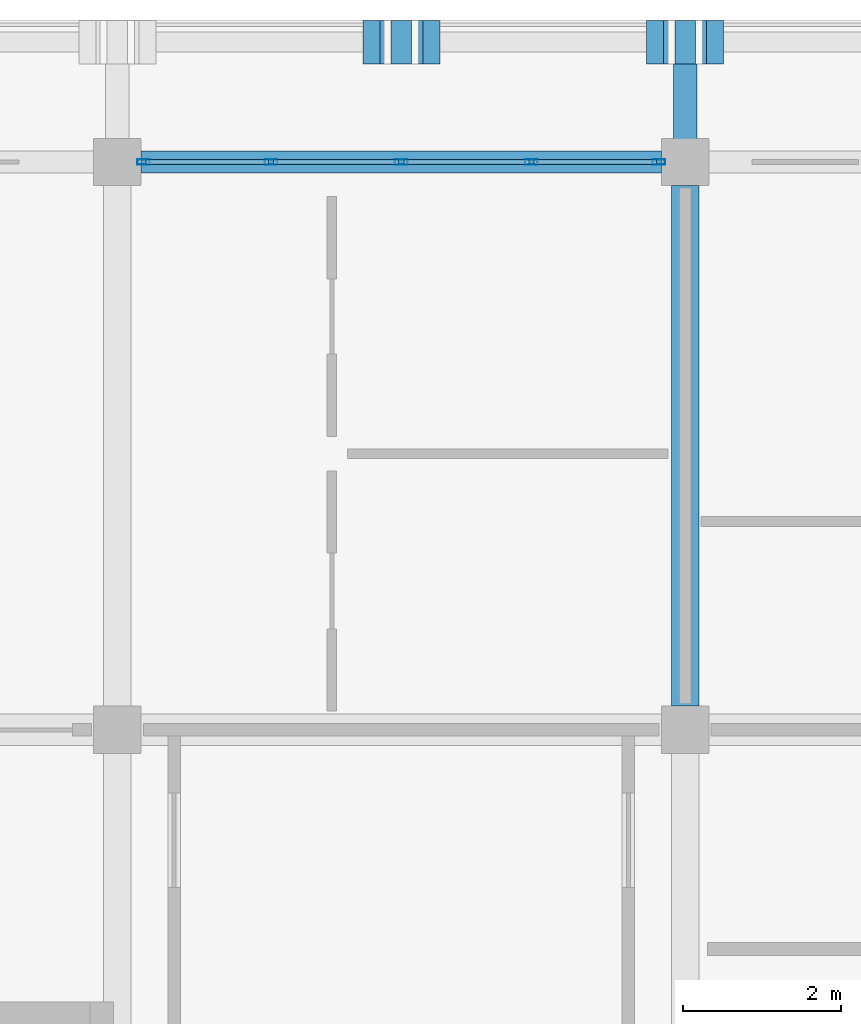
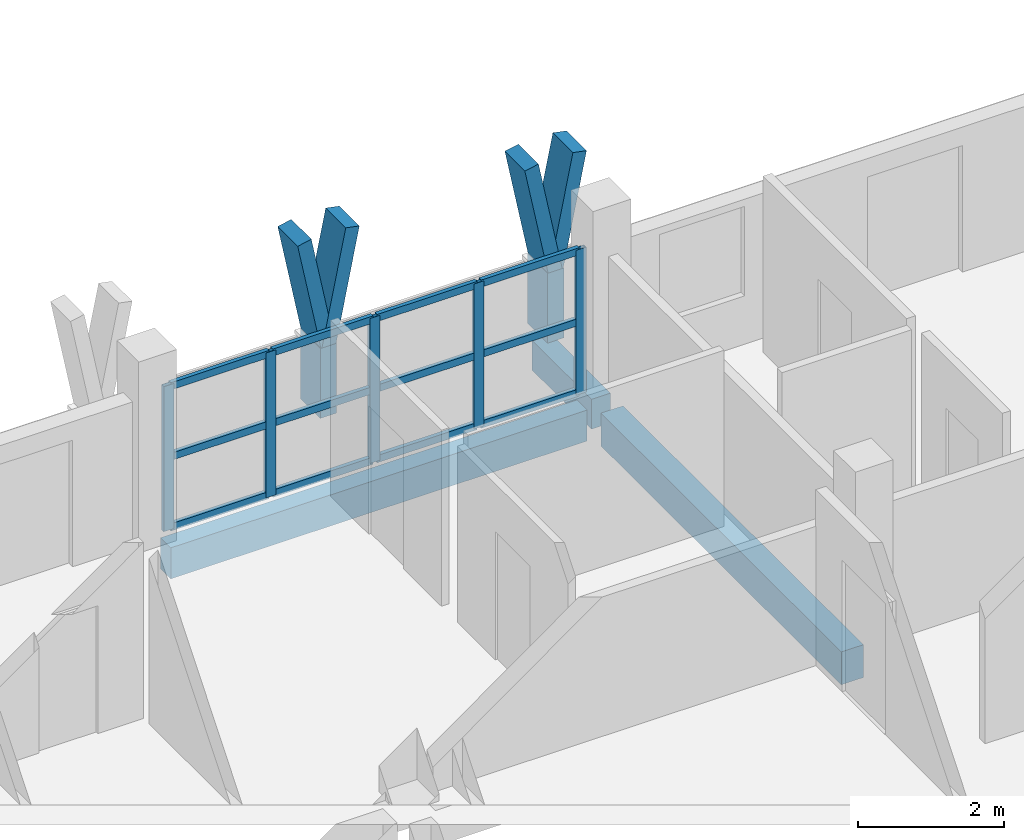
# One storey, part 31 of 78: 23 members, 3 beams, 1 element without a shape of its own.
"""IFC4 building model written with IfcOpenShell, lengths in metres."""

from ifc_helpers import new_model, si_unit, direction, frame, origin, origin_2d, place, context, subcontext, project, spatial, rectangle, hollow_rectangle, extrude, material, material_profile, profile_set, type_object, element, aggregate, save


model = new_model("IFC4")

# Units and contexts
model_context = context("Model", 3, precision=1e-05, world=origin(), true_north=direction((0.0, 1.0)))
body_context = subcontext(model_context, "Body", "Model", "MODEL_VIEW")
ifc_project = project(units=[si_unit("LENGTHUNIT", "METRE"), si_unit("AREAUNIT", "SQUARE_METRE"), si_unit("VOLUMEUNIT", "CUBIC_METRE"), si_unit("PLANEANGLEUNIT", "RADIAN"), si_unit("MASSUNIT", "GRAM", prefix="KILO")], contexts=[model_context])

# Site, building, storey
site_placement = place(None, origin())
site = spatial("IfcSite", under=ifc_project, at=site_placement, CompositionType="ELEMENT")
building_placement = place(site_placement, origin())
building = spatial("IfcBuilding", under=site, at=building_placement, Name="Suanplinth Sawtooth Commons", CompositionType="ELEMENT")
storey_placement = place(building_placement, frame((0.0, 0.0, 15.39990234375)))
storey = spatial("IfcBuildingStorey", under=building, at=storey_placement, Name="L04", CompositionType="ELEMENT", Elevation=15.39990234375)

# Beams
ifc_material_1 = material(Name="Precast concrete C40/50", Category="concrete")
ifc_material_profile_1 = material_profile(ifc_material_1, rectangle(XDim=0.35009765625, YDim=0.550048828125, at=origin_2d()), Name="PC-BM 350x550")
ifc_profile_set_1 = profile_set([ifc_material_profile_1], Name="Precast concrete C40/50")
beam_type_1 = type_object("IfcBeamType", Name="B-06", PredefinedType="BEAM", material=ifc_profile_set_1)
beam_1_placement = place(storey_placement, frame((151.199951171875, 115.5, -0.494873046875), z_axis=(0.0, 1.0, 0.0), x_axis=(-1.0, 0.0, 0.0)))
element("IfcBeam", 1, at=beam_1_placement, inside=storey, type_object=beam_type_1, Name="BMY-L04-B-21-16", PredefinedType="BEAM", context=body_context, shape_type="SweptSolid", body=[
    extrude(rectangle(XDim=0.35009765625, YDim=0.550048828125, at=origin_2d()), origin(), (0.0, 0.0, 1.0), 6.60009765625),
])
ifc_material_profile_2 = material_profile(ifc_material_1, rectangle(XDim=0.300048828125, YDim=0.5, at=origin_2d()), Name="PC-BM 300x500")
ifc_profile_set_2 = profile_set([ifc_material_profile_2], Name="Precast concrete C40/50")
beam_type_2 = type_object("IfcBeamType", Name="B-07", PredefinedType="BEAM", material=ifc_profile_set_2)
beam_2_placement = place(storey_placement, frame((151.199951171875, 122.39990234375, -0.429931640625), z_axis=(0.0, 1.0, 0.0), x_axis=(-1.0, 0.0, 0.0)))
element("IfcBeam", 2, at=beam_2_placement, inside=storey, type_object=beam_type_2, Name="Balcony Outrigger L04-B-N-21", PredefinedType="BEAM", context=body_context, shape_type="SweptSolid", body=[
    extrude(rectangle(XDim=0.300048828125, YDim=0.5, at=origin_2d()), origin(), (0.0, 0.0, 1.0), 1.64013671875),
])
ifc_material_profile_3 = material_profile(ifc_material_1, rectangle(XDim=0.280029296875, YDim=0.52001953125, at=origin_2d()), Name="PC-SP 280x520")
ifc_profile_set_3 = profile_set([ifc_material_profile_3], Name="Precast concrete C40/50")
beam_type_3 = type_object("IfcBeamType", Name="B-08", PredefinedType="SPANDREL", material=ifc_profile_set_3)
beam_3_placement = place(storey_placement, frame((144.300048828125, 122.39990234375, -0.47998046875), z_axis=(1.0, 0.0, 0.0), x_axis=(0.0, 1.0, 0.0)))
element("IfcBeam", 3, at=beam_3_placement, inside=storey, type_object=beam_type_3, Name="BMX-L04-B-20-17", PredefinedType="SPANDREL", context=body_context, shape_type="SweptSolid", body=[
    extrude(rectangle(XDim=0.280029296875, YDim=0.52001953125, at=origin_2d()), origin(), (0.0, 0.0, 1.0), 6.599853515625),
])

# Members
ifc_material_2 = material(Name="Pigmented precast concrete C40/50", Category="concrete")
ifc_material_profile_4 = material_profile(ifc_material_2, rectangle(XDim=0.260009765625, YDim=0.550048828125, at=origin_2d()), Name="PC-FIN 260x550")
ifc_profile_set_4 = profile_set([ifc_material_profile_4], Name="Pigmented precast concrete C40/50")
member_type_1 = type_object("IfcMemberType", Name="M-09", PredefinedType="USERDEFINED", material=ifc_profile_set_4)
for number, where, z_axis, x_axis, name in (
    (4, (147.60009765625, 123.919921875, 0.0), (0.0, 0.0, 1.0), (1.0, 0.0, 0.0), "Y-Blade Stem L04-B-N-04"),
    (5, (151.199951171875, 123.919921875, 0.0), (0.0, 0.0, 1.0), (1.0, 0.0, 0.0), "Y-Blade Stem L04-B-N-05"),
):
    element("IfcMember", number, at=place(storey_placement, frame(where, z_axis=z_axis, x_axis=x_axis)), inside=storey, type_object=member_type_1, Name=name, ObjectType="SHADING FIN", PredefinedType="USERDEFINED", context=body_context, shape_type="SweptSolid", body=[
        extrude(rectangle(XDim=0.260009765625, YDim=0.550048828125, at=origin_2d()), origin(), (0.0, 0.0, 1.0), 1.170166015625),
    ])
ifc_material_profile_5 = material_profile(ifc_material_2, rectangle(XDim=0.219970703125, YDim=0.550048828125, at=origin_2d()), Name="PC-FIN 220x550")
ifc_profile_set_5 = profile_set([ifc_material_profile_5], Name="Pigmented precast concrete C40/50")
member_type_2 = type_object("IfcMemberType", Name="M-10", PredefinedType="USERDEFINED", material=ifc_profile_set_5)
member_1_placement = place(storey_placement, frame((147.60009765625, 123.919921875, 1.130126953125), z_axis=(-0.196431120402, 0.0, 0.980517626021), x_axis=(0.980517626021, 0.0, 0.196431120402)))
element("IfcMember", 6, at=member_1_placement, inside=storey, type_object=member_type_2, Name="Y-Blade Arm L L04-B-N-04", ObjectType="SHADING FIN", PredefinedType="USERDEFINED", context=body_context, shape_type="SweptSolid", body=[
    extrude(rectangle(XDim=0.219970703125, YDim=0.550048828125, at=origin_2d()), origin(), (0.0, 0.0, 1.0), 1.937744140625),
])
for number, where, z_axis, x_axis, name in (
    (7, (147.60009765625, 123.919921875, 1.130126953125), (0.196309979414, 0.0, 0.980541886909), (-0.980541886909, 0.0, 0.196309979414), "Y-Blade Arm R L04-B-N-04"),
    (8, (151.199951171875, 123.919921875, 1.130126953125), (-0.196309979414, 0.0, 0.980541886909), (0.980541886909, 0.0, 0.196309979414), "Y-Blade Arm L L04-B-N-05"),
):
    element("IfcMember", number, at=place(storey_placement, frame(where, z_axis=z_axis, x_axis=x_axis)), inside=storey, type_object=member_type_2, Name=name, ObjectType="SHADING FIN", PredefinedType="USERDEFINED", context=body_context, shape_type="SweptSolid", body=[
        extrude(rectangle(XDim=0.219970703125, YDim=0.550048828125, at=origin_2d()), origin(), (0.0, 0.0, 1.0), 1.9375),
    ])
member_2_placement = place(storey_placement, frame((151.199951171875, 123.919921875, 1.130126953125), z_axis=(0.196431120402, 0.0, 0.980517626021), x_axis=(-0.980517626021, 0.0, 0.196431120402)))
element("IfcMember", 9, at=member_2_placement, inside=storey, type_object=member_type_2, Name="Y-Blade Arm R L04-B-N-05", ObjectType="SHADING FIN", PredefinedType="USERDEFINED", context=body_context, shape_type="SweptSolid", body=[
    extrude(rectangle(XDim=0.219970703125, YDim=0.550048828125, at=origin_2d()), origin(), (0.0, 0.0, 1.0), 1.937744140625),
])

# Curtain wall, members
ifc_material_3 = material(Name="Anodized aluminium and low-E glazing", Category="aluminium")
curtain_wall_type = type_object("IfcCurtainWallType", Name="CW-06", PredefinedType="USERDEFINED", material=ifc_material_3)
curtain_wall_placement = place(storey_placement, origin())
curtain_wall = element("IfcCurtainWall", 10, at=curtain_wall_placement, inside=storey, type_object=curtain_wall_type, Name="Curtain Wall CW-L04-B-LOUNGE-20", ObjectType="CURTAIN WALL", PredefinedType="USERDEFINED")
ifc_material_4 = material(Name="Anodized aluminium 6063-T6", Category="aluminium")
ifc_material_profile_6 = material_profile(ifc_material_4, hollow_rectangle(XDim=0.06494140625, YDim=0.159912109375, WallThickness=0.00390625, at=origin_2d()), Name="ALU-MUL 65x160")
ifc_profile_set_6 = profile_set([ifc_material_profile_6], Name="Anodized aluminium 6063-T6")
member_type_3 = type_object("IfcMemberType", Name="M-13", PredefinedType="MULLION", material=ifc_profile_set_6)
member_3_placement = place(storey_placement, frame((144.33251953125, 122.39990234375, 0.0), z_axis=(0.0, 0.0, 1.0), x_axis=(0.0, 1.0, 0.0)))
member_3 = element("IfcMember", 11, at=member_3_placement, type_object=member_type_3, Name="CW-06 mullion 1", PredefinedType="MULLION", context=body_context, shape_type="SweptSolid", body=[
    extrude(hollow_rectangle(XDim=0.06494140625, YDim=0.159912109375, WallThickness=0.00390625, at=origin_2d()), origin(), (0.0, 0.0, 1.0), 2.43017578125),
])
member_4_placement = place(storey_placement, frame((145.949951171875, 122.39990234375, 0.0), z_axis=(0.0, 0.0, 1.0), x_axis=(0.0, 1.0, 0.0)))
member_4 = element("IfcMember", 12, at=member_4_placement, type_object=member_type_3, Name="CW-06 mullion 2", PredefinedType="MULLION", context=body_context, shape_type="SweptSolid", body=[
    extrude(hollow_rectangle(XDim=0.06494140625, YDim=0.159912109375, WallThickness=0.00390625, at=origin_2d()), origin(), (0.0, 0.0, 1.0), 2.43017578125),
])
member_5_placement = place(storey_placement, frame((147.60009765625, 122.39990234375, 0.0), z_axis=(0.0, 0.0, 1.0), x_axis=(0.0, 1.0, 0.0)))
member_5 = element("IfcMember", 13, at=member_5_placement, type_object=member_type_3, Name="CW-06 mullion 3", PredefinedType="MULLION", context=body_context, shape_type="SweptSolid", body=[
    extrude(hollow_rectangle(XDim=0.06494140625, YDim=0.159912109375, WallThickness=0.00390625, at=origin_2d()), origin(), (0.0, 0.0, 1.0), 2.43017578125),
])
member_6_placement = place(storey_placement, frame((149.25, 122.39990234375, 0.0), z_axis=(0.0, 0.0, 1.0), x_axis=(0.0, 1.0, 0.0)))
member_6 = element("IfcMember", 14, at=member_6_placement, type_object=member_type_3, Name="CW-06 mullion 4", PredefinedType="MULLION", context=body_context, shape_type="SweptSolid", body=[
    extrude(hollow_rectangle(XDim=0.06494140625, YDim=0.159912109375, WallThickness=0.00390625, at=origin_2d()), origin(), (0.0, 0.0, 1.0), 2.43017578125),
])
member_7_placement = place(storey_placement, frame((150.867431640625, 122.39990234375, 0.0), z_axis=(0.0, 0.0, 1.0), x_axis=(0.0, 1.0, 0.0)))
member_7 = element("IfcMember", 15, at=member_7_placement, type_object=member_type_3, Name="CW-06 mullion 5", PredefinedType="MULLION", context=body_context, shape_type="SweptSolid", body=[
    extrude(hollow_rectangle(XDim=0.06494140625, YDim=0.159912109375, WallThickness=0.00390625, at=origin_2d()), origin(), (0.0, 0.0, 1.0), 2.43017578125),
])
ifc_material_profile_7 = material_profile(ifc_material_4, hollow_rectangle(XDim=0.06494140625, YDim=0.1201171875, WallThickness=0.00390625, at=origin_2d()), Name="ALU-TRN 65x120")
ifc_profile_set_7 = profile_set([ifc_material_profile_7], Name="Anodized aluminium 6063-T6")
member_type_4 = type_object("IfcMemberType", Name="M-15", PredefinedType="USERDEFINED", material=ifc_profile_set_7)
member_8_placement = place(storey_placement, frame((144.364990234375, 122.39990234375, 0.03271484375), z_axis=(1.0, 0.0, 0.0), x_axis=(0.0, 1.0, 0.0)))
member_8 = element("IfcMember", 16, at=member_8_placement, type_object=member_type_4, Name="CW-06 transom 1.1", ObjectType="TRANSOM", PredefinedType="USERDEFINED", context=body_context, shape_type="SweptSolid", body=[
    extrude(hollow_rectangle(XDim=0.06494140625, YDim=0.1201171875, WallThickness=0.00390625, at=origin_2d()), origin(), (0.0, 0.0, 1.0), 1.552490234375),
])
member_9_placement = place(storey_placement, frame((144.364990234375, 122.39990234375, 1.215087890625), z_axis=(1.0, 0.0, 0.0), x_axis=(0.0, 1.0, 0.0)))
member_9 = element("IfcMember", 17, at=member_9_placement, type_object=member_type_4, Name="CW-06 transom 1.2", ObjectType="TRANSOM", PredefinedType="USERDEFINED", context=body_context, shape_type="SweptSolid", body=[
    extrude(hollow_rectangle(XDim=0.06494140625, YDim=0.1201171875, WallThickness=0.00390625, at=origin_2d()), origin(), (0.0, 0.0, 1.0), 1.552490234375),
])
member_10_placement = place(storey_placement, frame((144.364990234375, 122.39990234375, 2.397705078125), z_axis=(1.0, 0.0, 0.0), x_axis=(0.0, 1.0, 0.0)))
member_10 = element("IfcMember", 18, at=member_10_placement, type_object=member_type_4, Name="CW-06 transom 1.3", ObjectType="TRANSOM", PredefinedType="USERDEFINED", context=body_context, shape_type="SweptSolid", body=[
    extrude(hollow_rectangle(XDim=0.06494140625, YDim=0.1201171875, WallThickness=0.00390625, at=origin_2d()), origin(), (0.0, 0.0, 1.0), 1.552490234375),
])
member_11_placement = place(storey_placement, frame((145.982421875, 122.39990234375, 0.03271484375), z_axis=(1.0, 0.0, 0.0), x_axis=(0.0, 1.0, 0.0)))
member_11 = element("IfcMember", 19, at=member_11_placement, type_object=member_type_4, Name="CW-06 transom 2.1", ObjectType="TRANSOM", PredefinedType="USERDEFINED", context=body_context, shape_type="SweptSolid", body=[
    extrude(hollow_rectangle(XDim=0.06494140625, YDim=0.1201171875, WallThickness=0.00390625, at=origin_2d()), origin(), (0.0, 0.0, 1.0), 1.5849609375),
])
member_12_placement = place(storey_placement, frame((145.982421875, 122.39990234375, 1.215087890625), z_axis=(1.0, 0.0, 0.0), x_axis=(0.0, 1.0, 0.0)))
member_12 = element("IfcMember", 20, at=member_12_placement, type_object=member_type_4, Name="CW-06 transom 2.2", ObjectType="TRANSOM", PredefinedType="USERDEFINED", context=body_context, shape_type="SweptSolid", body=[
    extrude(hollow_rectangle(XDim=0.06494140625, YDim=0.1201171875, WallThickness=0.00390625, at=origin_2d()), origin(), (0.0, 0.0, 1.0), 1.5849609375),
])
member_13_placement = place(storey_placement, frame((145.982421875, 122.39990234375, 2.397705078125), z_axis=(1.0, 0.0, 0.0), x_axis=(0.0, 1.0, 0.0)))
member_13 = element("IfcMember", 21, at=member_13_placement, type_object=member_type_4, Name="CW-06 transom 2.3", ObjectType="TRANSOM", PredefinedType="USERDEFINED", context=body_context, shape_type="SweptSolid", body=[
    extrude(hollow_rectangle(XDim=0.06494140625, YDim=0.1201171875, WallThickness=0.00390625, at=origin_2d()), origin(), (0.0, 0.0, 1.0), 1.5849609375),
])
member_14_placement = place(storey_placement, frame((147.632568359375, 122.39990234375, 0.03271484375), z_axis=(1.0, 0.0, 0.0), x_axis=(0.0, 1.0, 0.0)))
member_14 = element("IfcMember", 22, at=member_14_placement, type_object=member_type_4, Name="CW-06 transom 3.1", ObjectType="TRANSOM", PredefinedType="USERDEFINED", context=body_context, shape_type="SweptSolid", body=[
    extrude(hollow_rectangle(XDim=0.06494140625, YDim=0.1201171875, WallThickness=0.00390625, at=origin_2d()), origin(), (0.0, 0.0, 1.0), 1.5849609375),
])
member_15_placement = place(storey_placement, frame((147.632568359375, 122.39990234375, 1.215087890625), z_axis=(1.0, 0.0, 0.0), x_axis=(0.0, 1.0, 0.0)))
member_15 = element("IfcMember", 23, at=member_15_placement, type_object=member_type_4, Name="CW-06 transom 3.2", ObjectType="TRANSOM", PredefinedType="USERDEFINED", context=body_context, shape_type="SweptSolid", body=[
    extrude(hollow_rectangle(XDim=0.06494140625, YDim=0.1201171875, WallThickness=0.00390625, at=origin_2d()), origin(), (0.0, 0.0, 1.0), 1.5849609375),
])
member_16_placement = place(storey_placement, frame((147.632568359375, 122.39990234375, 2.397705078125), z_axis=(1.0, 0.0, 0.0), x_axis=(0.0, 1.0, 0.0)))
member_16 = element("IfcMember", 24, at=member_16_placement, type_object=member_type_4, Name="CW-06 transom 3.3", ObjectType="TRANSOM", PredefinedType="USERDEFINED", context=body_context, shape_type="SweptSolid", body=[
    extrude(hollow_rectangle(XDim=0.06494140625, YDim=0.1201171875, WallThickness=0.00390625, at=origin_2d()), origin(), (0.0, 0.0, 1.0), 1.5849609375),
])
member_17_placement = place(storey_placement, frame((149.282470703125, 122.39990234375, 0.03271484375), z_axis=(1.0, 0.0, 0.0), x_axis=(0.0, 1.0, 0.0)))
member_17 = element("IfcMember", 25, at=member_17_placement, type_object=member_type_4, Name="CW-06 transom 4.1", ObjectType="TRANSOM", PredefinedType="USERDEFINED", context=body_context, shape_type="SweptSolid", body=[
    extrude(hollow_rectangle(XDim=0.06494140625, YDim=0.1201171875, WallThickness=0.00390625, at=origin_2d()), origin(), (0.0, 0.0, 1.0), 1.552490234375),
])
member_18_placement = place(storey_placement, frame((149.282470703125, 122.39990234375, 1.215087890625), z_axis=(1.0, 0.0, 0.0), x_axis=(0.0, 1.0, 0.0)))
member_18 = element("IfcMember", 26, at=member_18_placement, type_object=member_type_4, Name="CW-06 transom 4.2", ObjectType="TRANSOM", PredefinedType="USERDEFINED", context=body_context, shape_type="SweptSolid", body=[
    extrude(hollow_rectangle(XDim=0.06494140625, YDim=0.1201171875, WallThickness=0.00390625, at=origin_2d()), origin(), (0.0, 0.0, 1.0), 1.552490234375),
])
member_19_placement = place(storey_placement, frame((149.282470703125, 122.39990234375, 2.397705078125), z_axis=(1.0, 0.0, 0.0), x_axis=(0.0, 1.0, 0.0)))
member_19 = element("IfcMember", 27, at=member_19_placement, type_object=member_type_4, Name="CW-06 transom 4.3", ObjectType="TRANSOM", PredefinedType="USERDEFINED", context=body_context, shape_type="SweptSolid", body=[
    extrude(hollow_rectangle(XDim=0.06494140625, YDim=0.1201171875, WallThickness=0.00390625, at=origin_2d()), origin(), (0.0, 0.0, 1.0), 1.552490234375),
])
aggregate(curtain_wall, [member_3, member_4, member_5, member_6, member_7, member_8, member_9, member_10, member_11, member_12, member_13, member_14, member_15, member_16, member_17, member_18, member_19])

save(model, "model.ifc")
